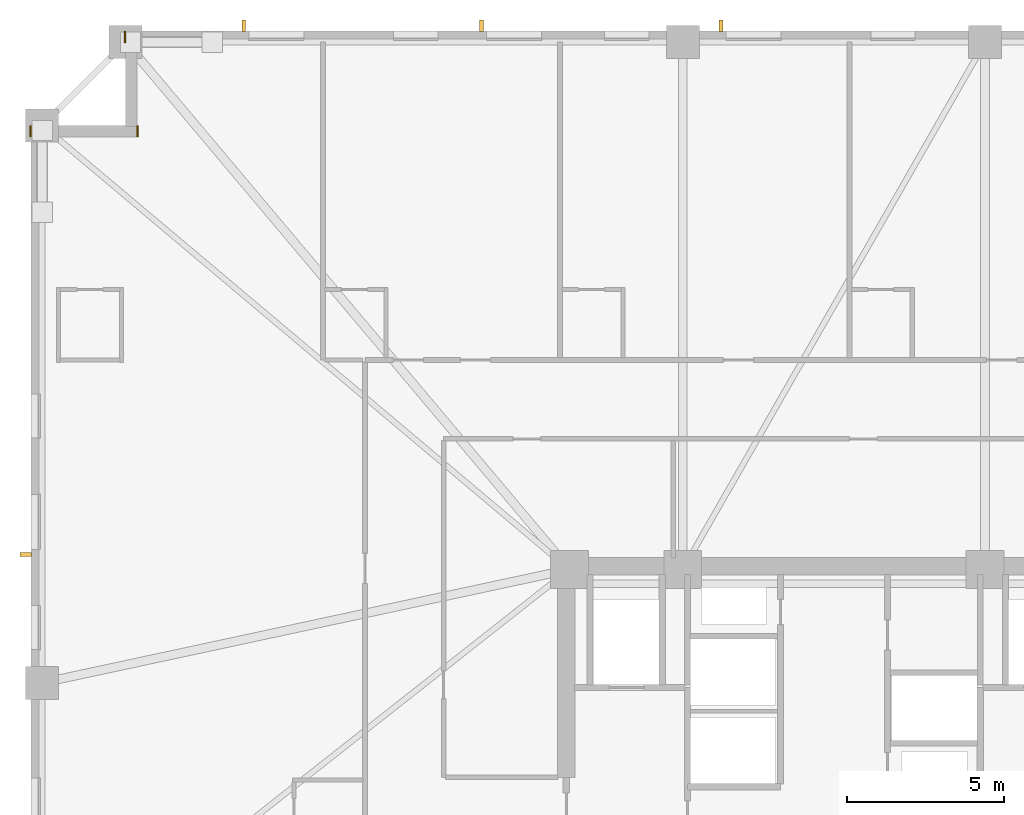
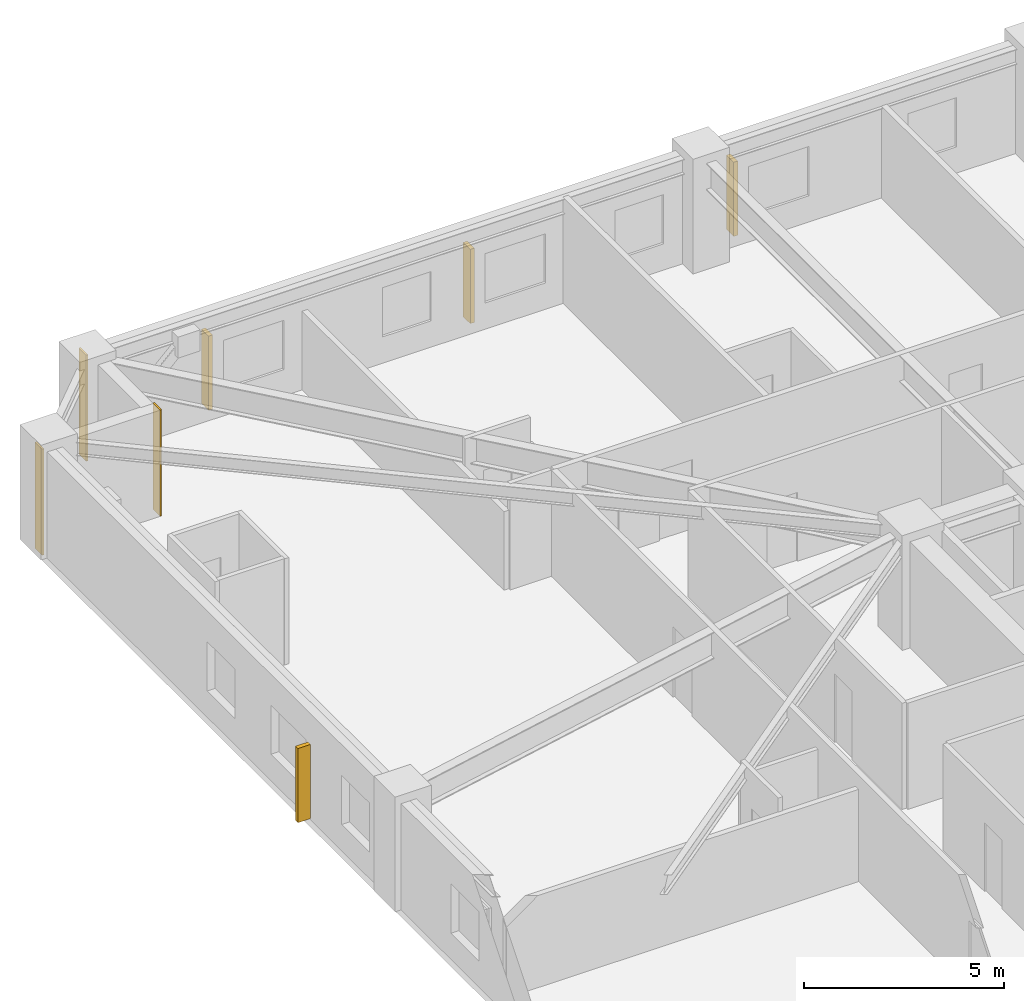
# One storey, part 10 of 11: 4 shading devices, 3 coverings.
"""IFC4 building model written with IfcOpenShell, lengths in metres."""

from ifc_helpers import new_model, si_unit, direction, frame, frame_2d, origin, origin_2d, place, context, subcontext, project, spatial, rectangle, extrude, material, layer, layer_set, type_object, element, save


model = new_model("IFC4")

# Units and contexts
model_context = context("Model", 3, precision=1e-05, world=origin(), true_north=direction((0.0, 1.0)))
body_context = subcontext(model_context, "Body", "Model", "MODEL_VIEW")
ifc_project = project(units=[si_unit("LENGTHUNIT", "METRE"), si_unit("AREAUNIT", "SQUARE_METRE"), si_unit("VOLUMEUNIT", "CUBIC_METRE"), si_unit("PLANEANGLEUNIT", "RADIAN"), si_unit("MASSUNIT", "GRAM", prefix="KILO")], contexts=[model_context])

# Site, building, storey
site_placement = place(None, origin())
site = spatial("IfcSite", under=ifc_project, at=site_placement, CompositionType="ELEMENT")
building_placement = place(site_placement, origin())
building = spatial("IfcBuilding", under=site, at=building_placement, Name="Cairnveth Concourse Tower", CompositionType="ELEMENT")
storey_placement = place(building_placement, frame((0.0, 0.0, 93.5)))
storey = spatial("IfcBuildingStorey", under=building, at=storey_placement, Name="L25", CompositionType="ELEMENT", Elevation=93.5)

# Coverings
ifc_material_1 = material(Name="Dressed Melbourne Bluestone Cladding", Category="masonry")
ifc_layer = layer(ifc_material_1, 0.050048828125)
ifc_layer_set = layer_set([ifc_layer], Name="Dressed Melbourne Bluestone Cladding")
covering_type = type_object("IfcCoveringType", Name="DRESSED BLUESTONE PLINTH CLADDING 50", PredefinedType="CLADDING", material=ifc_layer_set)
for number, where, z_axis, x_axis, name in (
    (1, (26.47998046875, 61.139892578125, 0.0), (0.0, 0.0, 1.0), (0.0, 1.0, 0.0), "Melbourne Bluestone Corner Quoin L25-353"),
    (2, (29.8798828125, 61.139892578125, 0.0), (0.0, 0.0, 1.0), (0.0, 1.0, 0.0), "Melbourne Bluestone Corner Quoin L25-354"),
    (3, (29.47998046875, 64.139892578125, 0.0), (0.0, 0.0, 1.0), (0.0, 1.0, 0.0), "Melbourne Bluestone Corner Quoin L25-355"),
):
    element("IfcCovering", number, at=place(storey_placement, frame(where, z_axis=z_axis, x_axis=x_axis)), inside=storey, type_object=covering_type, Name=name, PredefinedType="CLADDING", context=body_context, shape_type="SweptSolid", body=[
        extrude(rectangle(XDim=0.360107421875, YDim=0.050048828125, at=frame_2d((0.18017578125, 0.0))), origin(), (0.0, 0.0, 1.0), 3.239990234375),
    ])

# Shading devices
ifc_material_2 = material(Name="Architectural Bronze Anodised Aluminium 6063-T6", Category="aluminium")
shading_device_type = type_object("IfcShadingDeviceType", Name="GOTHIC BRONZE VERTICAL LANCET FIN", PredefinedType="USERDEFINED", material=ifc_material_2)
for number, where, z_axis, x_axis, name in (
    (4, (26.324951171875, 47.87646484375, 0.0302734375), (0.0, 0.0, 1.0), (0.0, 1.0, 0.0), "Gothic Bronze Vertical Fin L25-9-9"),
    (5, (33.25341796875, 64.675048828125, 0.0302734375), (0.0, 0.0, 1.0), (1.0, 0.0, 0.0), "Gothic Bronze Vertical Fin L25-12-1"),
    (6, (40.8076171875, 64.675048828125, 0.0302734375), (0.0, 0.0, 1.0), (1.0, 0.0, 0.0), "Gothic Bronze Vertical Fin L25-12-3"),
    (7, (48.41162109375, 64.675048828125, 0.0302734375), (0.0, 0.0, 1.0), (1.0, 0.0, 0.0), "Gothic Bronze Vertical Fin L25-12-5"),
):
    element("IfcShadingDevice", number, at=place(storey_placement, frame(where, z_axis=z_axis, x_axis=x_axis)), inside=storey, type_object=shading_device_type, Name=name, ObjectType="VERTICAL FIN", PredefinedType="USERDEFINED", context=body_context, shape_type="SweptSolid", body=[
        extrude(rectangle(XDim=0.1201171875, YDim=0.360107421875, at=origin_2d()), origin(), (0.0, 0.0, 1.0), 2.263916015625),
    ])

save(model, "model.ifc")
